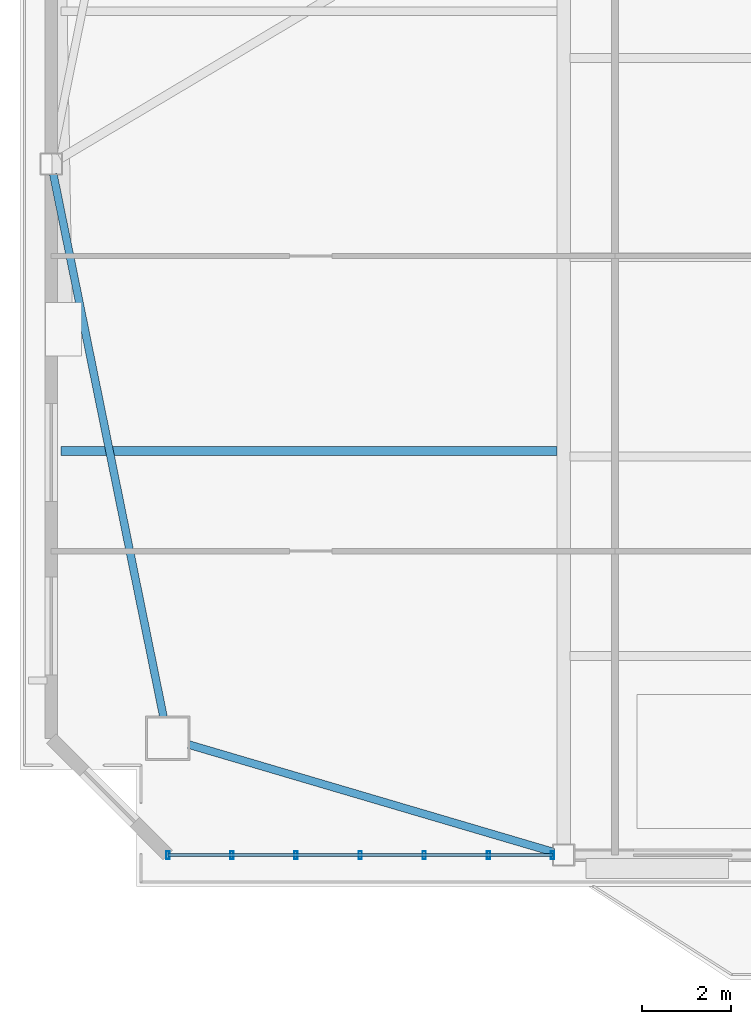
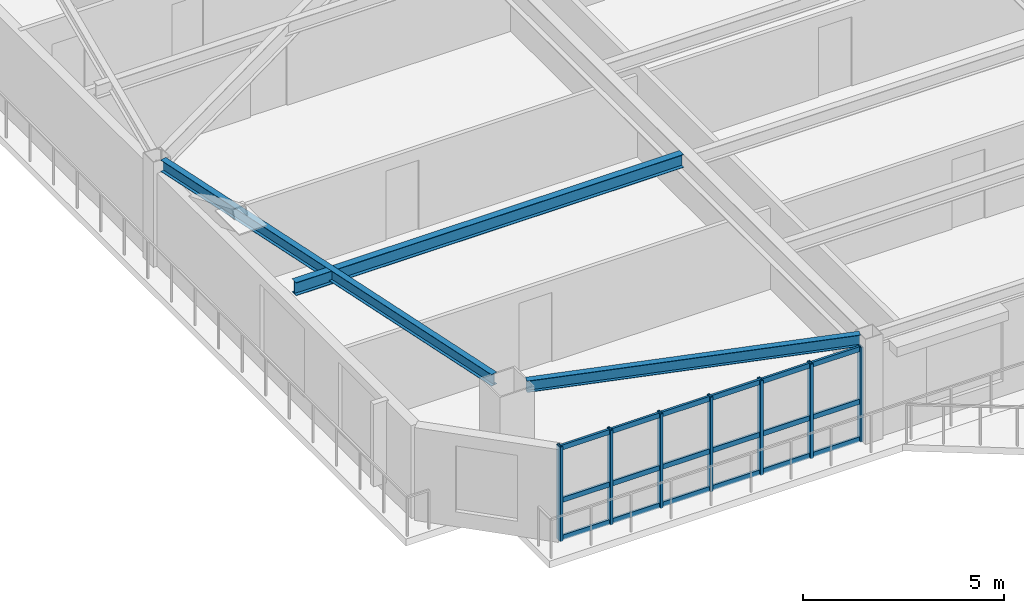
# One storey, part 2 of 17: 10 members, 3 beams, 1 element without a shape of its own.
"""IFC4 building model written with IfcOpenShell, lengths in metres."""

from ifc_helpers import new_model, si_unit, direction, frame, origin, origin_2d, place, context, subcontext, project, spatial, hollow_rectangle, i_section, extrude, source, transform, mapped, material, layer, layer_set, material_profile, profile_set, type_object, element, aggregate, save


model = new_model("IFC4")

# Units and contexts
model_context = context("Model", 3, precision=1e-05, world=origin(), true_north=direction((0.0, 1.0)))
body_context = subcontext(model_context, "Body", "Model", "MODEL_VIEW")
ifc_project = project(units=[si_unit("LENGTHUNIT", "METRE"), si_unit("AREAUNIT", "SQUARE_METRE"), si_unit("VOLUMEUNIT", "CUBIC_METRE"), si_unit("PLANEANGLEUNIT", "RADIAN"), si_unit("MASSUNIT", "GRAM", prefix="KILO")], contexts=[model_context])

# Site, building, storey
site_placement = place(None, origin())
site = spatial("IfcSite", under=ifc_project, at=site_placement, CompositionType="ELEMENT")
building_placement = place(site_placement, origin())
building = spatial("IfcBuilding", under=site, at=building_placement, Name="Giltprow Tower", CompositionType="ELEMENT")
storey_placement = place(building_placement, frame((0.0, 0.0, 251.89990234375)))
storey = spatial("IfcBuildingStorey", under=building, at=storey_placement, Name="L64", CompositionType="ELEMENT", Elevation=251.89990234375)

# Beams
ifc_material_1 = material(Name="Structural steel Q355B", Category="steel")
ifc_material_profile_1 = material_profile(ifc_material_1, i_section(OverallWidth=0.175048828125, OverallDepth=0.35009765625, WebThickness=0.007080078125, FlangeThickness=0.010986328125, at=origin_2d()), Name="HN 350x175x7x11")
ifc_profile_set_1 = profile_set([ifc_material_profile_1], Name="Structural steel Q355B")
beam_type_1 = type_object("IfcBeamType", Name="BM-SPAN-HN350", PredefinedType="SPANDREL", material=ifc_profile_set_1)
shared_shape_1 = source(origin(), body_context, "Body", "SweptSolid", [
    extrude(i_section(OverallWidth=0.175048828125, OverallDepth=0.35009765625, WebThickness=0.007080078125, FlangeThickness=0.010986328125, at=origin_2d()), origin(), (0.0, 0.0, 1.0), 8.529052734375),
])
beam_1_placement = place(storey_placement, frame((11.444091796875, 17.591064453125, 3.010009765625), z_axis=(0.959176127722, -0.282809398726, 0.0), x_axis=(0.282809398726, 0.959176127722, 0.0)))
element("IfcBeam", 1, at=beam_1_placement, inside=storey, type_object=beam_type_1, Name="L64 Perimeter Spandrel Beam MC_SW-S1", PredefinedType="SPANDREL", context=body_context, shape_type="MappedRepresentation", body=[
    mapped(shared_shape_1, transform((0.0, 0.0, 0.0), x_axis=(1.0, 0.0, 0.0), y_axis=(0.0, 1.0, 0.0), z_axis=(0.0, 0.0, 1.0), scale=1.0)),
])
shared_shape_2 = source(origin(), body_context, "Body", "SweptSolid", [
    extrude(i_section(OverallWidth=0.175048828125, OverallDepth=0.35009765625, WebThickness=0.007080078125, FlangeThickness=0.010986328125, at=origin_2d()), origin(), (0.0, 0.0, 1.0), 12.42236328125),
])
beam_2_placement = place(storey_placement, frame((8.410888671875, 30.376953125, 3.010009765625), z_axis=(0.198931044623, -0.98001348944, 0.0), x_axis=(0.98001348944, 0.198931044623, 0.0)))
element("IfcBeam", 2, at=beam_2_placement, inside=storey, type_object=beam_type_1, Name="L64 Perimeter Spandrel Beam W_MID-MC_SW", PredefinedType="SPANDREL", context=body_context, shape_type="MappedRepresentation", body=[
    mapped(shared_shape_2, transform((0.0, 0.0, 0.0), x_axis=(1.0, 0.0, 0.0), y_axis=(0.0, 1.0, 0.0), z_axis=(0.0, 0.0, 1.0), scale=1.0)),
])
ifc_material_profile_2 = material_profile(ifc_material_1, i_section(OverallWidth=0.199951171875, OverallDepth=0.39990234375, WebThickness=0.008056640625, FlangeThickness=0.012939453125, at=origin_2d()), Name="HN 400x200x8x13")
ifc_profile_set_2 = profile_set([ifc_material_profile_2], Name="Structural steel Q355B")
beam_type_2 = type_object("IfcBeamType", Name="BM-JOIST-HN400", PredefinedType="JOIST", material=ifc_profile_set_2)
shared_shape_3 = source(origin(), body_context, "Body", "SweptSolid", [
    extrude(i_section(OverallWidth=0.199951171875, OverallDepth=0.39990234375, WebThickness=0.008056640625, FlangeThickness=0.012939453125, at=origin_2d()), origin(), (0.0, 0.0, 1.0), 11.12109375),
])
beam_3_placement = place(storey_placement, frame((8.583984375, 24.16796875, 2.985107421875), z_axis=(1.0, 0.0, 0.0), x_axis=(0.0, 1.0, 0.0)))
element("IfcBeam", 3, at=beam_3_placement, inside=storey, type_object=beam_type_2, Name="L64 West Wing Floor Joist 1", PredefinedType="JOIST", context=body_context, shape_type="MappedRepresentation", body=[
    mapped(shared_shape_3, transform((0.0, 0.0, 0.0), x_axis=(1.0, 0.0, 0.0), y_axis=(0.0, 1.0, 0.0), z_axis=(0.0, 0.0, 1.0), scale=1.0)),
])

# Curtain wall, members
ifc_material_2 = material(Name="Anodized bronze", Category="metal")
ifc_layer = layer(ifc_material_2, 0.179931640625, Name="Anodized bronze")
ifc_layer_set = layer_set([ifc_layer], Name="Anodized bronze")
curtain_wall_type = type_object("IfcCurtainWallType", Name="CW-RES-SKY", PredefinedType="NOTDEFINED", material=ifc_layer_set)
curtain_wall_placement = place(storey_placement, origin())
curtain_wall = element("IfcCurtainWall", 4, at=curtain_wall_placement, inside=storey, type_object=curtain_wall_type, Name="L64 South Recessed Curtain Wall 1", PredefinedType="NOTDEFINED")
ifc_material_profile_3 = material_profile(ifc_material_2, hollow_rectangle(XDim=0.074951171875, YDim=0.179931640625, WallThickness=0.008056640625, at=origin_2d()), Name="RHS 180x75x8")
ifc_profile_set_3 = profile_set([ifc_material_profile_3], Name="Anodized bronze")
member_type_1 = type_object("IfcMemberType", Name="CW-MULLION-180x75", PredefinedType="MULLION", material=ifc_profile_set_3)
shared_shape_4 = source(origin(), body_context, "Body", "SweptSolid", [
    extrude(hollow_rectangle(XDim=0.074951171875, YDim=0.179931640625, WallThickness=0.008056640625, at=origin_2d()), origin(), (0.0, 0.0, 1.0), 2.8701171875),
])
member_1_placement = place(storey_placement, frame((10.97900390625, 15.113037109375, -0.02001953125), z_axis=(0.0, 0.0, 1.0), x_axis=(1.0, 0.0, 0.0)))
member_1 = element("IfcMember", 5, at=member_1_placement, type_object=member_type_1, Name="L64 South Recessed Curtain Wall 1 Mullion 1", PredefinedType="MULLION", context=body_context, shape_type="MappedRepresentation", body=[
    mapped(shared_shape_4, transform((0.0, 0.0, 0.0), x_axis=(1.0, 0.0, 0.0), y_axis=(0.0, 1.0, 0.0), z_axis=(0.0, 0.0, 1.0), scale=1.0)),
])
member_2_placement = place(storey_placement, frame((12.416015625, 15.113037109375, -0.02001953125), z_axis=(0.0, 0.0, 1.0), x_axis=(1.0, 0.0, 0.0)))
member_2 = element("IfcMember", 6, at=member_2_placement, type_object=member_type_1, Name="L64 South Recessed Curtain Wall 1 Mullion 2", PredefinedType="MULLION", context=body_context, shape_type="MappedRepresentation", body=[
    mapped(shared_shape_4, transform((0.0, 0.0, 0.0), x_axis=(1.0, 0.0, 0.0), y_axis=(0.0, 1.0, 0.0), z_axis=(0.0, 0.0, 1.0), scale=1.0)),
])
member_3_placement = place(storey_placement, frame((13.85302734375, 15.113037109375, -0.02001953125), z_axis=(0.0, 0.0, 1.0), x_axis=(1.0, 0.0, 0.0)))
member_3 = element("IfcMember", 7, at=member_3_placement, type_object=member_type_1, Name="L64 South Recessed Curtain Wall 1 Mullion 3", PredefinedType="MULLION", context=body_context, shape_type="MappedRepresentation", body=[
    mapped(shared_shape_4, transform((0.0, 0.0, 0.0), x_axis=(1.0, 0.0, 0.0), y_axis=(0.0, 1.0, 0.0), z_axis=(0.0, 0.0, 1.0), scale=1.0)),
])
member_4_placement = place(storey_placement, frame((15.2900390625, 15.113037109375, -0.02001953125), z_axis=(0.0, 0.0, 1.0), x_axis=(1.0, 0.0, 0.0)))
member_4 = element("IfcMember", 8, at=member_4_placement, type_object=member_type_1, Name="L64 South Recessed Curtain Wall 1 Mullion 4", PredefinedType="MULLION", context=body_context, shape_type="MappedRepresentation", body=[
    mapped(shared_shape_4, transform((0.0, 0.0, 0.0), x_axis=(1.0, 0.0, 0.0), y_axis=(0.0, 1.0, 0.0), z_axis=(0.0, 0.0, 1.0), scale=1.0)),
])
member_5_placement = place(storey_placement, frame((16.72607421875, 15.113037109375, -0.02001953125), z_axis=(0.0, 0.0, 1.0), x_axis=(1.0, 0.0, 0.0)))
member_5 = element("IfcMember", 9, at=member_5_placement, type_object=member_type_1, Name="L64 South Recessed Curtain Wall 1 Mullion 5", PredefinedType="MULLION", context=body_context, shape_type="MappedRepresentation", body=[
    mapped(shared_shape_4, transform((0.0, 0.0, 0.0), x_axis=(1.0, 0.0, 0.0), y_axis=(0.0, 1.0, 0.0), z_axis=(0.0, 0.0, 1.0), scale=1.0)),
])
member_6_placement = place(storey_placement, frame((18.1630859375, 15.113037109375, -0.02001953125), z_axis=(0.0, 0.0, 1.0), x_axis=(1.0, 0.0, 0.0)))
member_6 = element("IfcMember", 10, at=member_6_placement, type_object=member_type_1, Name="L64 South Recessed Curtain Wall 1 Mullion 6", PredefinedType="MULLION", context=body_context, shape_type="MappedRepresentation", body=[
    mapped(shared_shape_4, transform((0.0, 0.0, 0.0), x_axis=(1.0, 0.0, 0.0), y_axis=(0.0, 1.0, 0.0), z_axis=(0.0, 0.0, 1.0), scale=1.0)),
])
member_7_placement = place(storey_placement, frame((19.60009765625, 15.113037109375, -0.02001953125), z_axis=(0.0, 0.0, 1.0), x_axis=(1.0, 0.0, 0.0)))
member_7 = element("IfcMember", 11, at=member_7_placement, type_object=member_type_1, Name="L64 South Recessed Curtain Wall 1 Mullion 7", PredefinedType="MULLION", context=body_context, shape_type="MappedRepresentation", body=[
    mapped(shared_shape_4, transform((0.0, 0.0, 0.0), x_axis=(1.0, 0.0, 0.0), y_axis=(0.0, 1.0, 0.0), z_axis=(0.0, 0.0, 1.0), scale=1.0)),
])
ifc_material_profile_4 = material_profile(ifc_material_2, hollow_rectangle(XDim=0.06494140625, YDim=0.14990234375, WallThickness=0.006103515625, at=origin_2d()), Name="RHS 150x65x6")
ifc_profile_set_4 = profile_set([ifc_material_profile_4], Name="Anodized bronze")
member_type_2 = type_object("IfcMemberType", Name="CW-TRANSOM-150x65", PredefinedType="USERDEFINED", material=ifc_profile_set_4)
shared_shape_5 = source(origin(), body_context, "Body", "SweptSolid", [
    extrude(hollow_rectangle(XDim=0.06494140625, YDim=0.14990234375, WallThickness=0.006103515625, at=origin_2d()), origin(), (0.0, 0.0, 1.0), 8.62109375),
])
member_8_placement = place(storey_placement, frame((10.97900390625, 15.113037109375, 0.0400390625), z_axis=(1.0, 0.0, 0.0), x_axis=(0.0, 1.0, 0.0)))
member_8 = element("IfcMember", 12, at=member_8_placement, type_object=member_type_2, Name="L64 South Recessed Curtain Wall 1 Transom 1", ObjectType="TRANSOM", PredefinedType="USERDEFINED", context=body_context, shape_type="MappedRepresentation", body=[
    mapped(shared_shape_5, transform((0.0, 0.0, 0.0), x_axis=(1.0, 0.0, 0.0), y_axis=(0.0, 1.0, 0.0), z_axis=(0.0, 0.0, 1.0), scale=1.0)),
])
member_9_placement = place(storey_placement, frame((10.97900390625, 15.113037109375, 1.18212890625), z_axis=(1.0, 0.0, 0.0), x_axis=(0.0, 1.0, 0.0)))
member_9 = element("IfcMember", 13, at=member_9_placement, type_object=member_type_2, Name="L64 South Recessed Curtain Wall 1 Transom 2", ObjectType="TRANSOM", PredefinedType="USERDEFINED", context=body_context, shape_type="MappedRepresentation", body=[
    mapped(shared_shape_5, transform((0.0, 0.0, 0.0), x_axis=(1.0, 0.0, 0.0), y_axis=(0.0, 1.0, 0.0), z_axis=(0.0, 0.0, 1.0), scale=1.0)),
])
member_10_placement = place(storey_placement, frame((10.97900390625, 15.113037109375, 2.775146484375), z_axis=(1.0, 0.0, 0.0), x_axis=(0.0, 1.0, 0.0)))
member_10 = element("IfcMember", 14, at=member_10_placement, type_object=member_type_2, Name="L64 South Recessed Curtain Wall 1 Transom 3", ObjectType="TRANSOM", PredefinedType="USERDEFINED", context=body_context, shape_type="MappedRepresentation", body=[
    mapped(shared_shape_5, transform((0.0, 0.0, 0.0), x_axis=(1.0, 0.0, 0.0), y_axis=(0.0, 1.0, 0.0), z_axis=(0.0, 0.0, 1.0), scale=1.0)),
])
aggregate(curtain_wall, [member_1, member_2, member_3, member_4, member_5, member_6, member_7, member_8, member_9, member_10])

save(model, "model.ifc")
